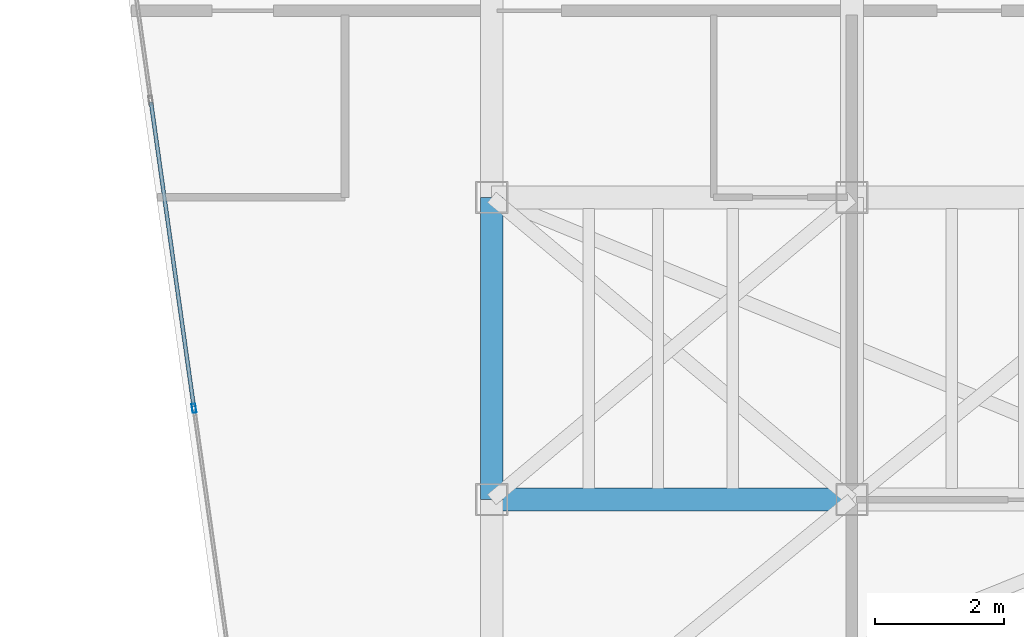
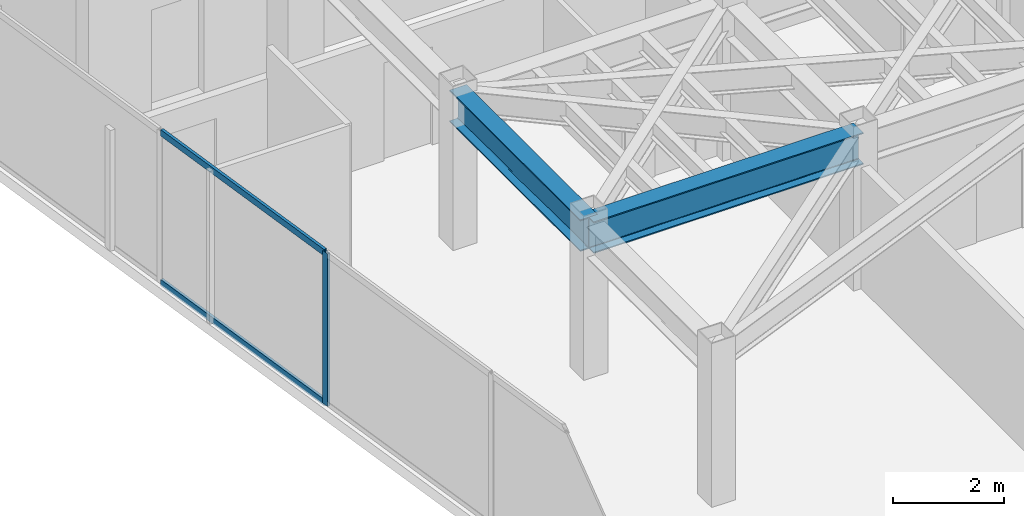
# One storey, part 5 of 20: 3 members, 2 beams, 1 element without a shape of its own.
"""IFC4 building model written with IfcOpenShell, lengths in metres."""

from ifc_helpers import new_model, si_unit, direction, frame, origin, origin_2d, place, context, subcontext, project, spatial, hollow_rectangle, i_section, extrude, material, layer, layer_set, material_profile, profile_set, type_object, element, aggregate, save


model = new_model("IFC4")

# Units and contexts
model_context = context("Model", 3, precision=1e-05, world=origin(), true_north=direction((0.0, 1.0)))
body_context = subcontext(model_context, "Body", "Model", "MODEL_VIEW")
ifc_project = project(units=[si_unit("LENGTHUNIT", "METRE"), si_unit("AREAUNIT", "SQUARE_METRE"), si_unit("VOLUMEUNIT", "CUBIC_METRE"), si_unit("PLANEANGLEUNIT", "RADIAN"), si_unit("MASSUNIT", "GRAM", prefix="KILO")], contexts=[model_context])

# Site, building, storey
site_placement = place(None, origin())
site = spatial("IfcSite", under=ifc_project, at=site_placement, CompositionType="ELEMENT")
building_placement = place(site_placement, origin())
building = spatial("IfcBuilding", under=site, at=building_placement, Name="Kravanh Interchange Tower", CompositionType="ELEMENT")
storey_placement = place(building_placement, frame((0.0, 0.0, 241.800048828125)))
storey = spatial("IfcBuildingStorey", under=building, at=storey_placement, Name="L58", CompositionType="ELEMENT", Elevation=241.800048828125)

# Curtain wall, members
ifc_material_1 = material(Name="Anodised Bronze Aluminium", Category="aluminium")
ifc_layer = layer(ifc_material_1, 0.179931640625)
ifc_layer_set = layer_set([ifc_layer], Name="Unitised Curtain Wall System CW-HTL Luxury Hotel")
curtain_wall_type = type_object("IfcCurtainWallType", Name="Unitised Curtain Wall System CW-HTL Luxury Hotel", PredefinedType="NOTDEFINED", material=ifc_layer_set)
curtain_wall_placement = place(storey_placement, origin())
curtain_wall = element("IfcCurtainWall", 1, at=curtain_wall_placement, inside=storey, type_object=curtain_wall_type, Name="L58 Unitised Curtain Wall CW-L58-01", PredefinedType="NOTDEFINED")
ifc_material_2 = material(Name="Anodised Bronze Aluminium", Category="aluminium")
ifc_material_profile_1 = material_profile(ifc_material_2, hollow_rectangle(XDim=0.06005859375, YDim=0.139892578125, WallThickness=0.00390625, at=origin_2d()), Name="ALU60X140X4")
ifc_profile_set_1 = profile_set([ifc_material_profile_1], Name="Anodised Bronze Aluminium")
member_type_1 = type_object("IfcMemberType", Name="Curtain Wall Mullion ALU60X140X4 Bronze", PredefinedType="MULLION", material=ifc_profile_set_1)
member_1_placement = place(storey_placement, frame((22.5712890625, 28.220703125, 0.0), z_axis=(0.0, 0.0, 1.0), x_axis=(-0.990267623707, -0.13917626751, 0.0)))
member_1 = element("IfcMember", 2, at=member_1_placement, type_object=member_type_1, Name="CW-HTL mullion 3", PredefinedType="MULLION", context=body_context, shape_type="SweptSolid", body=[
    extrude(hollow_rectangle(XDim=0.06005859375, YDim=0.139892578125, WallThickness=0.00390625, at=origin_2d()), origin(), (0.0, 0.0, 1.0), 3.349853515625),
])
ifc_material_3 = material(Name="Anodised Bronze Aluminium", Category="aluminium")
ifc_material_profile_2 = material_profile(ifc_material_3, hollow_rectangle(XDim=0.06005859375, YDim=0.139892578125, WallThickness=0.00390625, at=origin_2d()), Name="ALU60X140X4")
ifc_profile_set_2 = profile_set([ifc_material_profile_2], Name="Anodised Bronze Aluminium")
member_type_2 = type_object("IfcMemberType", Name="Curtain Wall Transom ALU60X140X4 Bronze", PredefinedType="USERDEFINED", material=ifc_profile_set_2)
member_2_placement = place(storey_placement, frame((22.567138671875, 28.25048828125, 0.030029296875), z_axis=(-0.139174169915, 0.990267918509, 0.0), x_axis=(-0.990267918509, -0.139174169915, 0.0)))
member_2 = element("IfcMember", 3, at=member_2_placement, type_object=member_type_2, Name="CW-HTL transom 3.1", ObjectType="TRANSOM", PredefinedType="USERDEFINED", context=body_context, shape_type="SweptSolid", body=[
    extrude(hollow_rectangle(XDim=0.06005859375, YDim=0.139892578125, WallThickness=0.00390625, at=origin_2d()), origin(), (0.0, 0.0, 1.0), 4.776611328125),
])
member_3_placement = place(storey_placement, frame((22.567138671875, 28.25048828125, 3.320068359375), z_axis=(-0.139174169915, 0.990267918509, 0.0), x_axis=(-0.990267918509, -0.139174169915, 0.0)))
member_3 = element("IfcMember", 4, at=member_3_placement, type_object=member_type_2, Name="CW-HTL transom 3.2", ObjectType="TRANSOM", PredefinedType="USERDEFINED", context=body_context, shape_type="SweptSolid", body=[
    extrude(hollow_rectangle(XDim=0.06005859375, YDim=0.139892578125, WallThickness=0.00390625, at=origin_2d()), origin(), (0.0, 0.0, 1.0), 4.776611328125),
])
aggregate(curtain_wall, [member_1, member_2, member_3])

# Beams
ifc_material_4 = material(Name="Structural Steel S355", Category="steel")
ifc_material_profile_3 = material_profile(ifc_material_4, i_section(OverallWidth=0.35498046875, OverallDepth=0.696044921875, WebThickness=0.015380859375, FlangeThickness=0.02490234375, FilletRadius=0.02392578125, at=origin_2d()), Name="W27X146")
ifc_profile_set_3 = profile_set([ifc_material_profile_3], Name="Structural Steel S355")
beam_type = type_object("IfcBeamType", Name="Floor Beam W27X146 Structural Steel S355", PredefinedType="BEAM", material=ifc_profile_set_3)
beam_1_placement = place(storey_placement, frame((27.199951171875, 31.5, 3.001953125), z_axis=(0.0, -1.0, 0.0), x_axis=(1.0, 0.0, 0.0)))
element("IfcBeam", 5, at=beam_1_placement, inside=storey, type_object=beam_type, Name="L58 Primary Floor Girder 25", PredefinedType="BEAM", context=body_context, shape_type="SweptSolid", body=[
    extrude(i_section(OverallWidth=0.35498046875, OverallDepth=0.696044921875, WebThickness=0.015380859375, FlangeThickness=0.02490234375, FilletRadius=0.02392578125, at=origin_2d()), origin(), (0.0, 0.0, 1.0), 4.699951171875),
])
beam_2_placement = place(storey_placement, frame((27.199951171875, 26.800048828125, 3.001953125), z_axis=(1.0, 0.0, 0.0), x_axis=(0.0, 1.0, 0.0)))
element("IfcBeam", 6, at=beam_2_placement, inside=storey, type_object=beam_type, Name="L58 Primary Floor Girder 42", PredefinedType="BEAM", context=body_context, shape_type="SweptSolid", body=[
    extrude(i_section(OverallWidth=0.35498046875, OverallDepth=0.696044921875, WebThickness=0.015380859375, FlangeThickness=0.02490234375, FilletRadius=0.02392578125, at=origin_2d()), origin(), (0.0, 0.0, 1.0), 5.60009765625),
])

save(model, "model.ifc")
